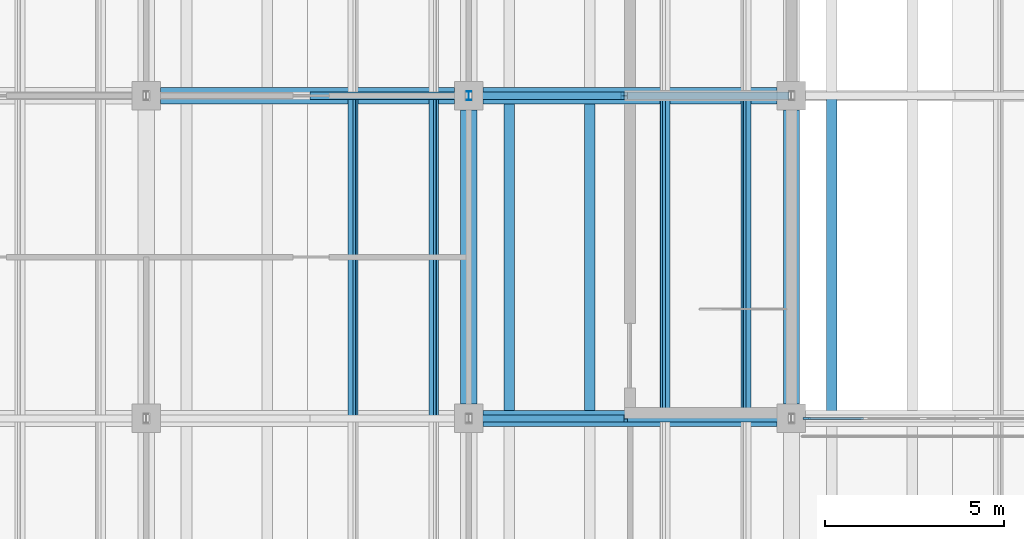
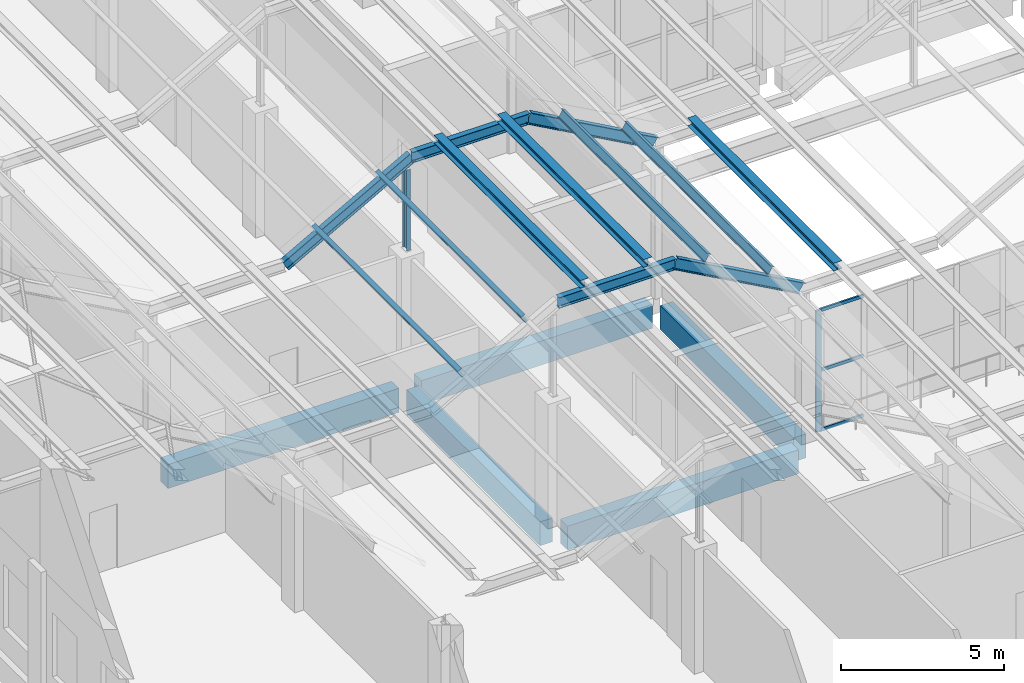
# One storey, part 30 of 437: 17 members, 5 beams, 1 element without a shape of its own.
"""IFC4 building model written with IfcOpenShell, lengths in metres."""

from ifc_helpers import new_model, si_unit, direction, frame, origin, origin_2d, place, context, subcontext, project, spatial, rectangle, i_section, extrude, material, layer, layer_set, material_profile, profile_set, type_object, element, aggregate, save


model = new_model("IFC4")

# Units and contexts
model_context = context("Model", 3, precision=1e-05, world=origin(), true_north=direction((0.0, 1.0)))
body_context = subcontext(model_context, "Body", "Model", "MODEL_VIEW")
ifc_project = project(units=[si_unit("LENGTHUNIT", "METRE"), si_unit("AREAUNIT", "SQUARE_METRE"), si_unit("VOLUMEUNIT", "CUBIC_METRE"), si_unit("PLANEANGLEUNIT", "RADIAN"), si_unit("MASSUNIT", "GRAM", prefix="KILO")], contexts=[model_context])

# Site, building, storey
site_placement = place(None, origin())
site = spatial("IfcSite", under=ifc_project, at=site_placement, CompositionType="ELEMENT")
building_placement = place(site_placement, origin())
building = spatial("IfcBuilding", under=site, at=building_placement, Name="Opaline Strait Convention Centre", CompositionType="ELEMENT")
storey_placement = place(building_placement, frame((0.0, 0.0, 11.5)))
storey = spatial("IfcBuildingStorey", under=building, at=storey_placement, Name="L02", CompositionType="ELEMENT", Elevation=11.5)

# Members
ifc_material_1 = material(Name="Steel Q355B", Category="steel")
ifc_material_profile_1 = material_profile(ifc_material_1, i_section(OverallWidth=0.300048828125, OverallDepth=0.300048828125, WebThickness=0.010009765625, FlangeThickness=0.014892578125, FilletRadius=0.012939453125, at=origin_2d()), Name="HW 300x300x10x15")
ifc_profile_set_1 = profile_set([ifc_material_profile_1], Name="Steel Q355B")
member_type_1 = type_object("IfcMemberType", Name="Crest purlin HW 300x300x10x15", PredefinedType="PURLIN", material=ifc_profile_set_1)
for number, where, z_axis, x_axis, name in (
    (1, (28.125, 45.0, 8.449951171875), (0.0, 1.0, 0.0), (-1.0, 0.0, 0.0), "RU1 purlin facet 5 line 1"),
    (2, (30.375, 45.0, 8.449951171875), (0.0, 1.0, 0.0), (-1.0, 0.0, 0.0), "RU1 purlin facet 5 line 2"),
    (3, (37.125, 45.0, 5.949951171875), (0.0, 1.0, 0.0), (-1.0, 0.0, 0.0), "RU1 purlin facet 7 line 1"),
):
    element("IfcMember", number, at=place(storey_placement, frame(where, z_axis=z_axis, x_axis=x_axis)), inside=storey, type_object=member_type_1, Name=name, PredefinedType="PURLIN", context=body_context, shape_type="SweptSolid", body=[
        extrude(i_section(OverallWidth=0.300048828125, OverallDepth=0.300048828125, WebThickness=0.010009765625, FlangeThickness=0.014892578125, FilletRadius=0.012939453125, at=origin_2d()), origin(), (0.0, 0.0, 1.0), 9.0),
    ])

# Curtain wall, members
ifc_material_2 = material(Name="Aluminium framed double glazing", Category="aluminium")
ifc_layer = layer(ifc_material_2, 0.199951171875)
ifc_layer_set = layer_set([ifc_layer], Name="Aluminium framed double glazing")
curtain_wall_type = type_object("IfcCurtainWallType", Name="Curtain wall 1500 module", PredefinedType="NOTDEFINED", material=ifc_layer_set)
curtain_wall_placement = place(storey_placement, origin())
curtain_wall = element("IfcCurtainWall", 4, at=curtain_wall_placement, inside=storey, type_object=curtain_wall_type, Name="L02 court glazing Sc 1", PredefinedType="NOTDEFINED")
ifc_material_3 = material(Name="Aluminium alloy 6063", Category="aluminium")
ifc_material_profile_2 = material_profile(ifc_material_3, rectangle(XDim=0.06005859375, YDim=0.199951171875, at=origin_2d()), Name="Curtain wall mullion 60x200")
ifc_profile_set_2 = profile_set([ifc_material_profile_2], Name="Aluminium alloy 6063")
member_type_2 = type_object("IfcMemberType", Name="Curtain wall mullion 60x200", PredefinedType="MULLION", material=ifc_profile_set_2)
member_1_placement = place(storey_placement, frame((36.429931640625, 45.0, 0.0), z_axis=(0.0, 0.0, 1.0), x_axis=(0.0, 1.0, 0.0)))
member_1 = element("IfcMember", 5, at=member_1_placement, type_object=member_type_2, Name="RCW1 mullion 1", PredefinedType="MULLION", context=body_context, shape_type="SweptSolid", body=[
    extrude(rectangle(XDim=0.06005859375, YDim=0.199951171875, at=origin_2d()), origin(), (0.0, 0.0, 1.0), 4.550048828125),
])
ifc_material_profile_3 = material_profile(ifc_material_3, rectangle(XDim=0.06005859375, YDim=0.1201171875, at=origin_2d()), Name="Curtain wall transom 60x120")
ifc_profile_set_3 = profile_set([ifc_material_profile_3], Name="Aluminium alloy 6063")
member_type_3 = type_object("IfcMemberType", Name="Curtain wall transom 60x120", PredefinedType="USERDEFINED", material=ifc_profile_set_3)
member_2_placement = place(storey_placement, frame((36.4599609375, 45.0, 0.030029296875), z_axis=(1.0, 0.0, 0.0), x_axis=(0.0, 1.0, 0.0)))
member_2 = element("IfcMember", 6, at=member_2_placement, type_object=member_type_3, Name="RCW1 transom 1.1", ObjectType="TRANSOM", PredefinedType="USERDEFINED", context=body_context, shape_type="SweptSolid", body=[
    extrude(rectangle(XDim=0.06005859375, YDim=0.1201171875, at=origin_2d()), origin(), (0.0, 0.0, 1.0), 1.550048828125),
])
member_3_placement = place(storey_placement, frame((36.4599609375, 45.0, 2.27490234375), z_axis=(1.0, 0.0, 0.0), x_axis=(0.0, 1.0, 0.0)))
member_3 = element("IfcMember", 7, at=member_3_placement, type_object=member_type_3, Name="RCW1 transom 1.2", ObjectType="TRANSOM", PredefinedType="USERDEFINED", context=body_context, shape_type="SweptSolid", body=[
    extrude(rectangle(XDim=0.06005859375, YDim=0.1201171875, at=origin_2d()), origin(), (0.0, 0.0, 1.0), 1.550048828125),
])
member_4_placement = place(storey_placement, frame((36.4599609375, 45.0, 4.52001953125), z_axis=(1.0, 0.0, 0.0), x_axis=(0.0, 1.0, 0.0)))
member_4 = element("IfcMember", 8, at=member_4_placement, type_object=member_type_3, Name="RCW1 transom 1.3", ObjectType="TRANSOM", PredefinedType="USERDEFINED", context=body_context, shape_type="SweptSolid", body=[
    extrude(rectangle(XDim=0.06005859375, YDim=0.1201171875, at=origin_2d()), origin(), (0.0, 0.0, 1.0), 1.550048828125),
])
aggregate(curtain_wall, [member_1, member_2, member_3, member_4])

# Beams
ifc_material_4 = material(Name="Concrete C35", Category="concrete")
ifc_material_profile_4 = material_profile(ifc_material_4, rectangle(XDim=0.449951171875, YDim=0.89990234375, at=origin_2d()), Name="RC 450x900")
ifc_profile_set_4 = profile_set([ifc_material_profile_4], Name="Concrete C35")
beam_type = type_object("IfcBeamType", Name="RC beam 450x900 C35", PredefinedType="BEAM", material=ifc_profile_set_4)
for number, where, z_axis, x_axis, name in (
    (9, (27.39990234375, 45.0, -0.72998046875), (1.0, 0.0, 0.0), (0.0, 1.0, 0.0), "XB1 L02 27/45-36/45"),
    (10, (18.39990234375, 54.0, -0.72998046875), (1.0, 0.0, 0.0), (0.0, 1.0, 0.0), "XB1 L02 18/54-27/54"),
    (11, (27.39990234375, 54.0, -0.72998046875), (1.0, 0.0, 0.0), (0.0, 1.0, 0.0), "XB1 L02 27/54-36/54"),
    (12, (27.0, 45.39990234375, -0.72998046875), (0.0, 1.0, 0.0), (-1.0, 0.0, 0.0), "XB1 L02 27/45-27/54"),
    (13, (36.0, 45.39990234375, -0.72998046875), (0.0, 1.0, 0.0), (-1.0, 0.0, 0.0), "XB1 L02 36/45-36/54"),
):
    element("IfcBeam", number, at=place(storey_placement, frame(where, z_axis=z_axis, x_axis=x_axis)), inside=storey, type_object=beam_type, Name=name, PredefinedType="BEAM", context=body_context, shape_type="SweptSolid", body=[
        extrude(rectangle(XDim=0.449951171875, YDim=0.89990234375, at=origin_2d()), origin(), (0.0, 0.0, 1.0), 8.2001953125),
    ])

# Members
ifc_material_profile_5 = material_profile(ifc_material_1, i_section(OverallWidth=0.125, OverallDepth=0.25, WebThickness=0.006103515625, FlangeThickness=0.009033203125, FilletRadius=0.008056640625, at=origin_2d()), Name="HN 250x125x6x9")
ifc_profile_set_5 = profile_set([ifc_material_profile_5], Name="Steel Q355B")
member_type_4 = type_object("IfcMemberType", Name="Roof post HN 250x125x6x9", PredefinedType="STRUT", material=ifc_profile_set_5)
member_5_placement = place(storey_placement, frame((27.0, 54.0, 4.68994140625), z_axis=(0.0, 0.0, 1.0), x_axis=(1.0, 0.0, 0.0)))
element("IfcMember", 14, at=member_5_placement, inside=storey, type_object=member_type_4, Name="RP1 roof post at 27/54", PredefinedType="STRUT", context=body_context, shape_type="SweptSolid", body=[
    extrude(i_section(OverallWidth=0.125, OverallDepth=0.25, WebThickness=0.006103515625, FlangeThickness=0.009033203125, FilletRadius=0.008056640625, at=origin_2d()), origin(), (0.0, 0.0, 1.0), 3.031005859375),
])
ifc_material_profile_6 = material_profile(ifc_material_1, i_section(OverallWidth=0.14990234375, OverallDepth=0.300048828125, WebThickness=0.006591796875, FlangeThickness=0.009033203125, FilletRadius=0.012939453125, at=origin_2d()), Name="HN 300x150x6.5x9")
ifc_profile_set_6 = profile_set([ifc_material_profile_6], Name="Steel Q355B")
member_type_5 = type_object("IfcMemberType", Name="Roof purlin HN 300x150x6.5x9", PredefinedType="PURLIN", material=ifc_profile_set_6)
for number, where, z_axis, x_axis, name in (
    (15, (23.770751953125, 45.0, 6.61279296875), (0.0, 1.0, 0.0), (-0.874157310866, 0.0, -0.485642868639), "RU1 purlin facet 4 line 1"),
    (16, (26.020751953125, 45.0, 7.86279296875), (0.0, 1.0, 0.0), (-0.874157310866, 0.0, -0.485642868639), "RU1 purlin facet 4 line 2"),
    (17, (32.479248046875, 45.0, 7.86279296875), (0.0, 1.0, 0.0), (-0.874157310866, 0.0, 0.485642868639), "RU1 purlin facet 6 line 1"),
    (18, (34.729248046875, 45.0, 6.61279296875), (0.0, 1.0, 0.0), (-0.874157310866, 0.0, 0.485642868639), "RU1 purlin facet 6 line 2"),
):
    element("IfcMember", number, at=place(storey_placement, frame(where, z_axis=z_axis, x_axis=x_axis)), inside=storey, type_object=member_type_5, Name=name, PredefinedType="PURLIN", context=body_context, shape_type="SweptSolid", body=[
        extrude(i_section(OverallWidth=0.14990234375, OverallDepth=0.300048828125, WebThickness=0.006591796875, FlangeThickness=0.009033203125, FilletRadius=0.012939453125, at=origin_2d()), origin(), (0.0, 0.0, 1.0), 9.0),
    ])
ifc_material_profile_7 = material_profile(ifc_material_1, i_section(OverallWidth=0.199951171875, OverallDepth=0.39990234375, WebThickness=0.008056640625, FlangeThickness=0.012939453125, FilletRadius=0.012939453125, at=origin_2d()), Name="HN 400x200x8x13")
ifc_profile_set_7 = profile_set([ifc_material_profile_7], Name="Steel Q355B")
member_type_6 = type_object("IfcMemberType", Name="Roof rafter HN 400x200x8x13", PredefinedType="RAFTER", material=ifc_profile_set_7)
member_6_placement = place(storey_placement, frame((27.16845703125, 45.0, 8.10009765625), z_axis=(1.0, 0.0, 0.0), x_axis=(0.0, 1.0, 0.0)))
element("IfcMember", 19, at=member_6_placement, inside=storey, type_object=member_type_6, Name="RR1 rafter line 5 facet 6", PredefinedType="RAFTER", context=body_context, shape_type="SweptSolid", body=[
    extrude(i_section(OverallWidth=0.199951171875, OverallDepth=0.39990234375, WebThickness=0.008056640625, FlangeThickness=0.012939453125, FilletRadius=0.012939453125, at=origin_2d()), origin(), (0.0, 0.0, 1.0), 4.1630859375),
])
for number, where, z_axis, x_axis, name in (
    (20, (31.33154296875, 45.0, 8.10009765625), (0.874157276122, 0.0, -0.485642931179), (0.0, 1.0, 0.0), "RR1 rafter line 5 facet 7"),
    (21, (22.66845703125, 54.0, 5.60009765625), (0.874157276122, 0.0, 0.485642931179), (0.0, 1.0, 0.0), "RR1 rafter line 6 facet 5"),
):
    element("IfcMember", number, at=place(storey_placement, frame(where, z_axis=z_axis, x_axis=x_axis)), inside=storey, type_object=member_type_6, Name=name, PredefinedType="RAFTER", context=body_context, shape_type="SweptSolid", body=[
        extrude(i_section(OverallWidth=0.199951171875, OverallDepth=0.39990234375, WebThickness=0.008056640625, FlangeThickness=0.012939453125, FilletRadius=0.012939453125, at=origin_2d()), origin(), (0.0, 0.0, 1.0), 5.147705078125),
    ])
member_7_placement = place(storey_placement, frame((27.16845703125, 54.0, 8.10009765625), z_axis=(1.0, 0.0, 0.0), x_axis=(0.0, 1.0, 0.0)))
element("IfcMember", 22, at=member_7_placement, inside=storey, type_object=member_type_6, Name="RR1 rafter line 6 facet 6", PredefinedType="RAFTER", context=body_context, shape_type="SweptSolid", body=[
    extrude(i_section(OverallWidth=0.199951171875, OverallDepth=0.39990234375, WebThickness=0.008056640625, FlangeThickness=0.012939453125, FilletRadius=0.012939453125, at=origin_2d()), origin(), (0.0, 0.0, 1.0), 4.1630859375),
])
member_8_placement = place(storey_placement, frame((31.33154296875, 54.0, 8.10009765625), z_axis=(0.874157276122, 0.0, -0.485642931179), x_axis=(0.0, 1.0, 0.0)))
element("IfcMember", 23, at=member_8_placement, inside=storey, type_object=member_type_6, Name="RR1 rafter line 6 facet 7", PredefinedType="RAFTER", context=body_context, shape_type="SweptSolid", body=[
    extrude(i_section(OverallWidth=0.199951171875, OverallDepth=0.39990234375, WebThickness=0.008056640625, FlangeThickness=0.012939453125, FilletRadius=0.012939453125, at=origin_2d()), origin(), (0.0, 0.0, 1.0), 5.147705078125),
])

save(model, "model.ifc")
